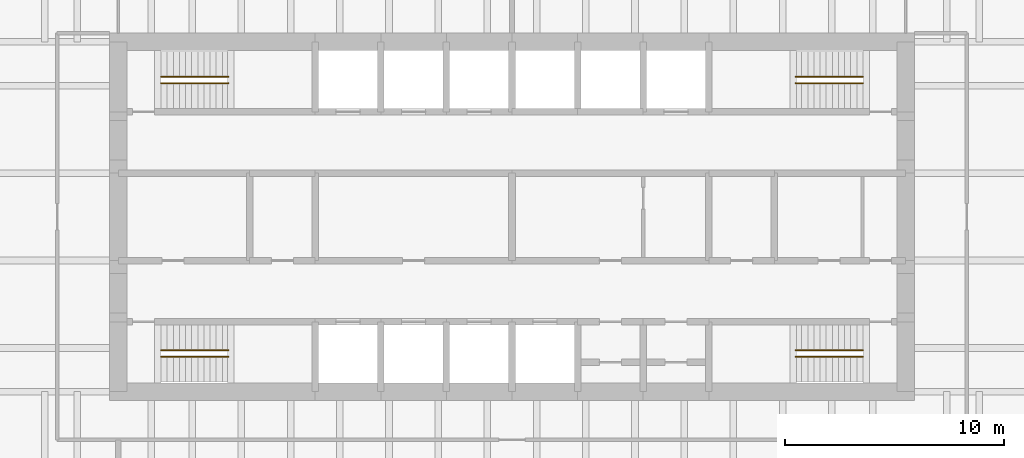
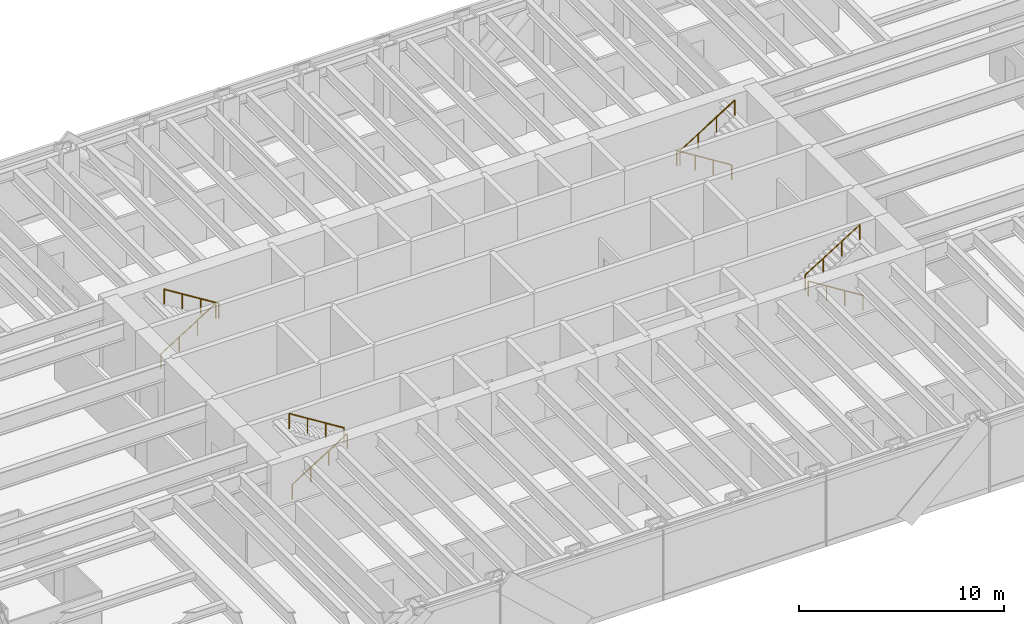
# One storey, part 17 of 17: 8 railings.
"""IFC4 building model written with IfcOpenShell, lengths in metres."""

from ifc_helpers import new_model, si_unit, direction, frame, origin, origin_2d, place, context, subcontext, project, spatial, circle, extrude, material, type_object, element, save


model = new_model("IFC4")

# Units and contexts
model_context = context("Model", 3, precision=1e-05, world=origin(), true_north=direction((0.0, 1.0)))
body_context = subcontext(model_context, "Body", "Model", "MODEL_VIEW")
ifc_project = project(units=[si_unit("LENGTHUNIT", "METRE"), si_unit("AREAUNIT", "SQUARE_METRE"), si_unit("VOLUMEUNIT", "CUBIC_METRE"), si_unit("PLANEANGLEUNIT", "RADIAN"), si_unit("MASSUNIT", "GRAM", prefix="KILO")], contexts=[model_context])

# Site, building, storey
site_placement = place(None, origin())
site = spatial("IfcSite", under=ifc_project, at=site_placement, CompositionType="ELEMENT")
building_placement = place(site_placement, origin())
building = spatial("IfcBuilding", under=site, at=building_placement, Name="Rheinbord Bourse Tower", CompositionType="ELEMENT")
storey_placement = place(building_placement, frame((0.0, 0.0, 223.60009765625)))
storey = spatial("IfcBuildingStorey", under=building, at=storey_placement, Name="L50", CompositionType="ELEMENT", Elevation=223.60009765625)

# Railings
ifc_material = material(Name="Steel handrail", Category="steel")
railing_type = type_object("IfcRailingType", Name="HANDRAIL 900", PredefinedType="HANDRAIL", material=ifc_material)
railing_1_placement = place(storey_placement, frame((19.949951171875, 17.60009765625, 0.1748046875)))
element("IfcRailing", 1, at=railing_1_placement, inside=storey, type_object=railing_type, Name="Handrail", PredefinedType="HANDRAIL", context=body_context, shape_type="SweptSolid", body=[
    extrude(circle(Radius=0.02392578125, at=origin_2d()), frame((0.0, 0.0, 0.8759765625), z_axis=(0.847998304005, 0.0, 0.529998940003), x_axis=(0.0, 1.0, 0.0)), (0.0, 0.0, 1.0), 3.632080078125),
    extrude(circle(Radius=0.02099609375, at=origin_2d()), origin(), (0.0, 0.0, 1.0), 0.851806640625),
    extrude(circle(Radius=0.02099609375, at=origin_2d()), frame((1.026611328125, 0.0, 0.6416015625)), (0.0, 0.0, 1.0), 0.851806640625),
    extrude(circle(Radius=0.02099609375, at=origin_2d()), frame((2.053466796875, 0.0, 1.283447265625)), (0.0, 0.0, 1.0), 0.851806640625),
    extrude(circle(Radius=0.02099609375, at=origin_2d()), frame((3.080078125, 0.0, 1.925048828125)), (0.0, 0.0, 1.0), 0.851806640625),
])
railing_2_placement = place(storey_placement, frame((23.030029296875, 17.89990234375, 2.27490234375)))
element("IfcRailing", 2, at=railing_2_placement, inside=storey, type_object=railing_type, Name="Handrail", PredefinedType="HANDRAIL", context=body_context, shape_type="SweptSolid", body=[
    extrude(circle(Radius=0.02392578125, at=origin_2d()), frame((0.0, 0.0, 0.8759765625), z_axis=(-0.847998304005, 0.0, 0.529998940003), x_axis=(0.0, -1.0, 0.0)), (0.0, 0.0, 1.0), 3.632080078125),
    extrude(circle(Radius=0.02099609375, at=origin_2d()), origin(), (0.0, 0.0, 1.0), 0.851806640625),
    extrude(circle(Radius=0.02099609375, at=origin_2d()), frame((-1.026611328125, 0.0, 0.6416015625)), (0.0, 0.0, 1.0), 0.851806640625),
    extrude(circle(Radius=0.02099609375, at=origin_2d()), frame((-2.053466796875, 0.0, 1.283447265625)), (0.0, 0.0, 1.0), 0.851806640625),
    extrude(circle(Radius=0.02099609375, at=origin_2d()), frame((-3.080078125, 0.0, 1.925048828125)), (0.0, 0.0, 1.0), 0.851806640625),
])
railing_3_placement = place(storey_placement, frame((19.949951171875, 30.39990234375, 0.1748046875)))
element("IfcRailing", 3, at=railing_3_placement, inside=storey, type_object=railing_type, Name="Handrail", PredefinedType="HANDRAIL", context=body_context, shape_type="SweptSolid", body=[
    extrude(circle(Radius=0.02392578125, at=origin_2d()), frame((0.0, 0.0, 0.8759765625), z_axis=(0.847998304005, 0.0, 0.529998940003), x_axis=(0.0, 1.0, 0.0)), (0.0, 0.0, 1.0), 3.632080078125),
    extrude(circle(Radius=0.02099609375, at=origin_2d()), origin(), (0.0, 0.0, 1.0), 0.851806640625),
    extrude(circle(Radius=0.02099609375, at=origin_2d()), frame((1.026611328125, 0.0, 0.6416015625)), (0.0, 0.0, 1.0), 0.851806640625),
    extrude(circle(Radius=0.02099609375, at=origin_2d()), frame((2.053466796875, 0.0, 1.283447265625)), (0.0, 0.0, 1.0), 0.851806640625),
    extrude(circle(Radius=0.02099609375, at=origin_2d()), frame((3.080078125, 0.0, 1.925048828125)), (0.0, 0.0, 1.0), 0.851806640625),
])
for number, where, name in (
    (4, (23.030029296875, 30.10009765625, 2.27490234375), "Handrail"),
    (5, (52.050048828125, 17.60009765625, 0.1748046875), "Handrail"),
):
    element("IfcRailing", number, at=place(storey_placement, frame(where)), inside=storey, type_object=railing_type, Name=name, PredefinedType="HANDRAIL", context=body_context, shape_type="SweptSolid", body=[
        extrude(circle(Radius=0.02392578125, at=origin_2d()), frame((0.0, 0.0, 0.8759765625), z_axis=(-0.847998304005, 0.0, 0.529998940003), x_axis=(0.0, -1.0, 0.0)), (0.0, 0.0, 1.0), 3.632080078125),
        extrude(circle(Radius=0.02099609375, at=origin_2d()), origin(), (0.0, 0.0, 1.0), 0.851806640625),
        extrude(circle(Radius=0.02099609375, at=origin_2d()), frame((-1.026611328125, 0.0, 0.6416015625)), (0.0, 0.0, 1.0), 0.851806640625),
        extrude(circle(Radius=0.02099609375, at=origin_2d()), frame((-2.053466796875, 0.0, 1.283447265625)), (0.0, 0.0, 1.0), 0.851806640625),
        extrude(circle(Radius=0.02099609375, at=origin_2d()), frame((-3.080078125, 0.0, 1.925048828125)), (0.0, 0.0, 1.0), 0.851806640625),
    ])
railing_4_placement = place(storey_placement, frame((48.969970703125, 17.89990234375, 2.27490234375)))
element("IfcRailing", 6, at=railing_4_placement, inside=storey, type_object=railing_type, Name="Handrail", PredefinedType="HANDRAIL", context=body_context, shape_type="SweptSolid", body=[
    extrude(circle(Radius=0.02392578125, at=origin_2d()), frame((0.0, 0.0, 0.8759765625), z_axis=(0.847998304005, 0.0, 0.529998940003), x_axis=(0.0, 1.0, 0.0)), (0.0, 0.0, 1.0), 3.632080078125),
    extrude(circle(Radius=0.02099609375, at=origin_2d()), origin(), (0.0, 0.0, 1.0), 0.851806640625),
    extrude(circle(Radius=0.02099609375, at=origin_2d()), frame((1.026611328125, 0.0, 0.6416015625)), (0.0, 0.0, 1.0), 0.851806640625),
    extrude(circle(Radius=0.02099609375, at=origin_2d()), frame((2.053466796875, 0.0, 1.283447265625)), (0.0, 0.0, 1.0), 0.851806640625),
    extrude(circle(Radius=0.02099609375, at=origin_2d()), frame((3.080078125, 0.0, 1.925048828125)), (0.0, 0.0, 1.0), 0.851806640625),
])
railing_5_placement = place(storey_placement, frame((52.050048828125, 30.39990234375, 0.1748046875)))
element("IfcRailing", 7, at=railing_5_placement, inside=storey, type_object=railing_type, Name="Handrail", PredefinedType="HANDRAIL", context=body_context, shape_type="SweptSolid", body=[
    extrude(circle(Radius=0.02392578125, at=origin_2d()), frame((0.0, 0.0, 0.8759765625), z_axis=(-0.847998304005, 0.0, 0.529998940003), x_axis=(0.0, -1.0, 0.0)), (0.0, 0.0, 1.0), 3.632080078125),
    extrude(circle(Radius=0.02099609375, at=origin_2d()), origin(), (0.0, 0.0, 1.0), 0.851806640625),
    extrude(circle(Radius=0.02099609375, at=origin_2d()), frame((-1.026611328125, 0.0, 0.6416015625)), (0.0, 0.0, 1.0), 0.851806640625),
    extrude(circle(Radius=0.02099609375, at=origin_2d()), frame((-2.053466796875, 0.0, 1.283447265625)), (0.0, 0.0, 1.0), 0.851806640625),
    extrude(circle(Radius=0.02099609375, at=origin_2d()), frame((-3.080078125, 0.0, 1.925048828125)), (0.0, 0.0, 1.0), 0.851806640625),
])
railing_6_placement = place(storey_placement, frame((48.969970703125, 30.10009765625, 2.27490234375)))
element("IfcRailing", 8, at=railing_6_placement, inside=storey, type_object=railing_type, Name="Handrail", PredefinedType="HANDRAIL", context=body_context, shape_type="SweptSolid", body=[
    extrude(circle(Radius=0.02392578125, at=origin_2d()), frame((0.0, 0.0, 0.8759765625), z_axis=(0.847998304005, 0.0, 0.529998940003), x_axis=(0.0, 1.0, 0.0)), (0.0, 0.0, 1.0), 3.632080078125),
    extrude(circle(Radius=0.02099609375, at=origin_2d()), origin(), (0.0, 0.0, 1.0), 0.851806640625),
    extrude(circle(Radius=0.02099609375, at=origin_2d()), frame((1.026611328125, 0.0, 0.6416015625)), (0.0, 0.0, 1.0), 0.851806640625),
    extrude(circle(Radius=0.02099609375, at=origin_2d()), frame((2.053466796875, 0.0, 1.283447265625)), (0.0, 0.0, 1.0), 0.851806640625),
    extrude(circle(Radius=0.02099609375, at=origin_2d()), frame((3.080078125, 0.0, 1.925048828125)), (0.0, 0.0, 1.0), 0.851806640625),
])

save(model, "model.ifc")
